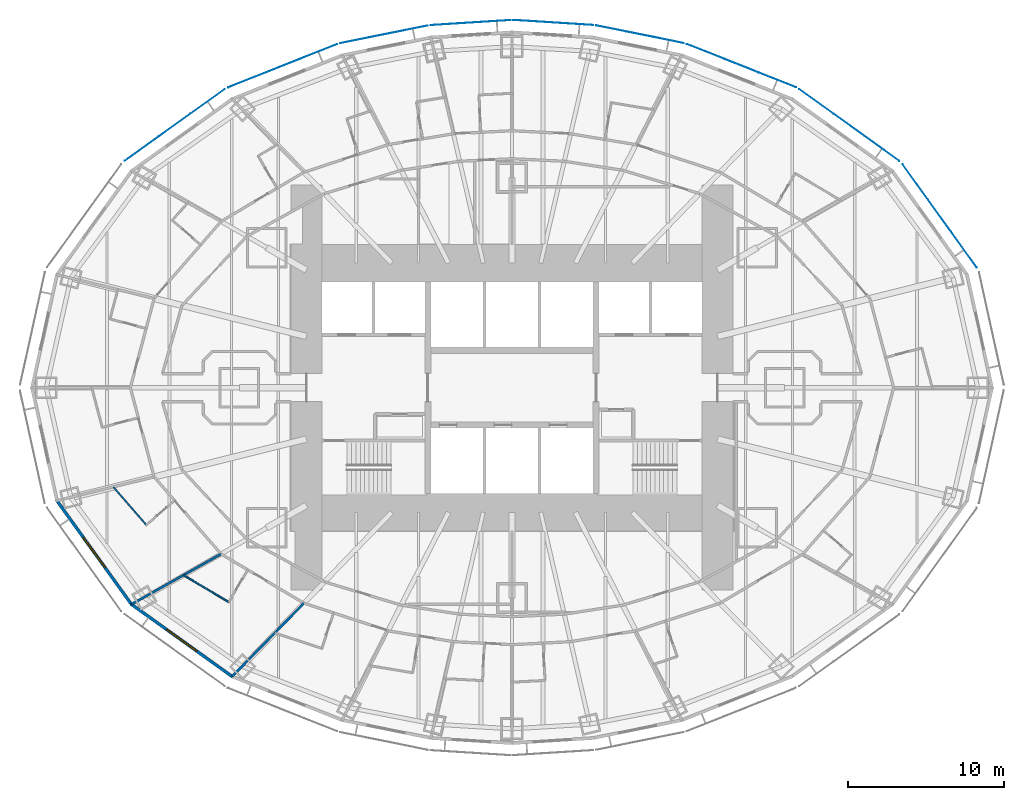
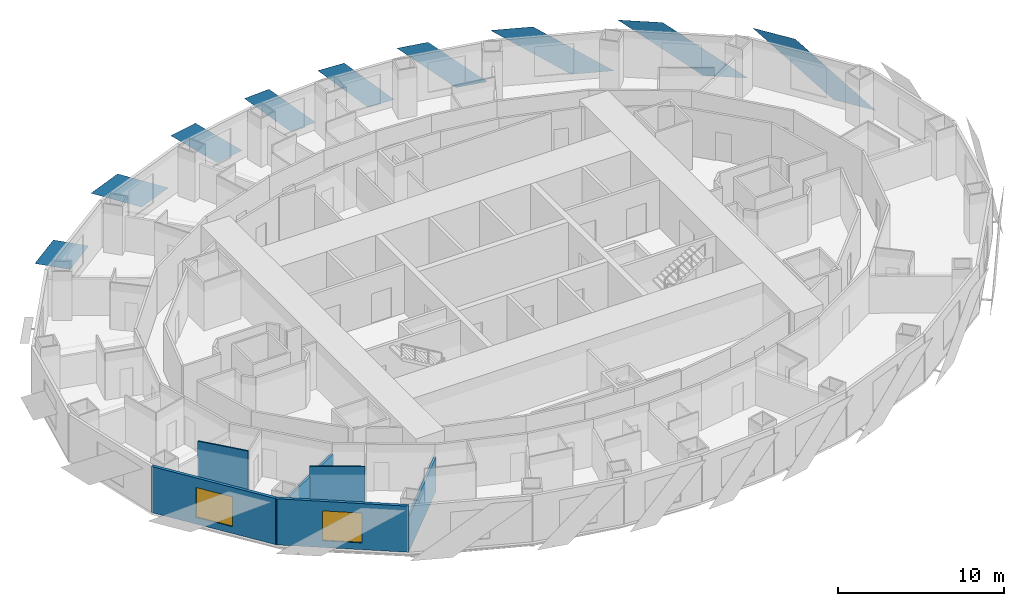
# One storey, part 4 of 15: 9 plates, 6 walls, 2 windows, 2 openings.
"""IFC4 building model written with IfcOpenShell, lengths in metres."""

from ifc_helpers import new_model, si_unit, direction, frame, frame_2d, origin, place, context, subcontext, project, spatial, polyline, rectangle, outline, extrude, material, layer, layer_set, type_object, element, fill, save


model = new_model("IFC4")

# Units and contexts
model_context = context("Model", 3, precision=1e-05, world=origin(), true_north=direction((0.0, 1.0)))
body_context = subcontext(model_context, "Body", "Model", "MODEL_VIEW")
ifc_project = project(units=[si_unit("LENGTHUNIT", "METRE"), si_unit("AREAUNIT", "SQUARE_METRE"), si_unit("VOLUMEUNIT", "CUBIC_METRE"), si_unit("PLANEANGLEUNIT", "RADIAN"), si_unit("MASSUNIT", "GRAM", prefix="KILO")], contexts=[model_context])

# Site, building, storey
site_placement = place(None, origin())
site = spatial("IfcSite", under=ifc_project, at=site_placement, CompositionType="ELEMENT")
building_placement = place(site_placement, origin())
building = spatial("IfcBuilding", under=site, at=building_placement, Name="Lantaw Convention Tower", CompositionType="ELEMENT")
storey_placement = place(building_placement, frame((0.0, 0.0, 65.800048828125)))
storey = spatial("IfcBuildingStorey", under=building, at=storey_placement, Name="L14", CompositionType="ELEMENT", Elevation=65.800048828125)

# Plates
ifc_material_1 = material(Name="Perforated aluminium sheet, pale silver finish", Category="aluminium")
ifc_layer_1 = layer(ifc_material_1, 0.006103515625)
ifc_layer_set_1 = layer_set([ifc_layer_1], Name="Perforated aluminium solar SCREEN panel")
plate_type = type_object("IfcPlateType", Name="Perforated aluminium solar SCREEN panel", PredefinedType="SHEET", material=ifc_layer_set_1)
plate_1_placement = place(storey_placement, frame((29.847900390625, 7.720947265625, -0.175048828125), z_axis=(0.811791382613, 0.583947558463, 9.019268e-06), x_axis=(-0.583947558486, 0.811791382646, 0.0)))
element("IfcPlate", 1, at=plate_1_placement, inside=storey, type_object=plate_type, Name="Solar SCREEN panel", PredefinedType="SHEET", context=body_context, shape_type="SweptSolid", body=[
    extrude(outline(polyline([(0.0, 0.0), (2.809541672291133, 0.0), (8.163093158837512, 3.739990234527119), (5.353551486546379, 3.739990234527119), (0.0, 0.0)])), origin(), (0.0, 0.0, -1.0), 0.006103515625),
])
plate_2_placement = place(storey_placement, frame((24.872314453125, 14.555908203125, -0.175048828125), z_axis=(0.582561421998, 0.812786681331, 1.5819417e-05), x_axis=(-0.812786681433, 0.582561422071, 0.0)))
element("IfcPlate", 2, at=plate_2_placement, inside=storey, type_object=plate_type, Name="Solar SCREEN panel", PredefinedType="SHEET", context=body_context, shape_type="SweptSolid", body=[
    extrude(outline(polyline([(0.0, 0.0), (2.721095180812288, 3.3881317890172014e-21), (7.903118572410756, 3.739990234842974), (5.182023391598468, 3.739990234842974), (0.0, 0.0)])), origin(), (0.0, 0.0, -1.0), 0.006103515625),
])
plate_3_placement = place(storey_placement, frame((18.232177734375, 19.278076171875, -0.175048828125), z_axis=(-0.369183532846, -0.929356508016, 9.163296e-06), x_axis=(-0.929356508055, 0.369183532862, 0.0)))
element("IfcPlate", 3, at=plate_3_placement, inside=storey, type_object=plate_type, Name="Solar SCREEN panel", PredefinedType="SHEET", context=body_context, shape_type="SweptSolid", body=[
    extrude(outline(polyline([(0.0, 0.0), (2.594936467166582, -1.6940658945086007e-21), (7.5321069917580825, -3.739990234532016), (4.937170524591499, -3.739990234532016), (0.0, 0.0)])), origin(), (0.0, 0.0, -1.0), 0.006103515625),
])
plate_4_placement = place(storey_placement, frame((11.03271484375, 22.117919921875, -0.175048828125), z_axis=(-0.197781876197, -0.980246055561, 2.418535e-06), x_axis=(-0.980246055563, 0.197781876198, 1.46e-10)))
element("IfcPlate", 4, at=plate_4_placement, inside=storey, type_object=plate_type, Name="Solar SCREEN panel", PredefinedType="SHEET", context=body_context, shape_type="SweptSolid", body=[
    extrude(outline(polyline([(0.0, 0.0), (1.9867801772236329, -3.1763735522036263e-22), (5.743587245978565, -3.7399902335493134), (3.7568553553458006, -3.739990234128105), (0.0, 0.0)])), origin(), (0.0, 0.0, -1.0), 0.006103515625),
])
plate_5_placement = place(storey_placement, frame((5.221923828125, 23.27783203125, -0.175048828125), z_axis=(-0.062923905251, -0.998018327468, 1.3605496e-05), x_axis=(-0.998018327561, 0.062923905257, 9.3e-10)))
element("IfcPlate", 5, at=plate_5_placement, inside=storey, type_object=plate_type, Name="Solar SCREEN panel", PredefinedType="SHEET", context=body_context, shape_type="SweptSolid", body=[
    extrude(outline(polyline([(0.0, 0.0), (1.7828375409377817, -2.117582368135751e-22), (5.143985963027618, -3.739990229938699), (3.3611637843713935, -3.7399902332537565), (0.0, 0.0)])), origin(), (0.0, 0.0, -1.0), 0.006103515625),
])
plate_6_placement = place(storey_placement, frame((-0.088134765625, 23.6015625, -0.175048828125), z_axis=(-0.062923905251, 0.998018327468, 1.3605496e-05), x_axis=(-0.998018327561, -0.062923905257, -9.3e-10)))
element("IfcPlate", 6, at=plate_6_placement, inside=storey, type_object=plate_type, Name="Solar SCREEN panel", PredefinedType="SHEET", context=body_context, shape_type="SweptSolid", body=[
    extrude(outline(polyline([(0.0, 0.0), (1.782822178656225, -2.117582368135751e-22), (5.143985956073316, 3.7399902395036517), (3.3611484151355353, 3.7399902361885653), (0.0, 0.0)])), origin(), (0.0, 0.0, -1.0), 0.006103515625),
])
plate_7_placement = place(storey_placement, frame((-5.402587890625, 23.25390625, -0.175048828125), z_axis=(-0.197781876197, 0.980246055561, 2.418535e-06), x_axis=(-0.980246055563, -0.197781876198, -1.46e-10)))
element("IfcPlate", 7, at=plate_7_placement, inside=storey, type_object=plate_type, Name="Solar SCREEN panel", PredefinedType="SHEET", context=body_context, shape_type="SweptSolid", body=[
    extrude(outline(polyline([(0.0, 0.0), (1.9867318906327642, 1.0587911840678754e-22), (5.743587244888999, 3.7399902352225842), (3.7568070676653664, 3.7399902346437783), (0.0, 0.0)])), origin(), (0.0, 0.0, -1.0), 0.006103515625),
])
plate_8_placement = place(storey_placement, frame((-11.232177734375, 22.058837890625, -0.175048828125), z_axis=(-0.369183532846, 0.929356508016, 9.163296e-06), x_axis=(-0.929356508055, -0.369183532862, 0.0)))
element("IfcPlate", 8, at=plate_8_placement, inside=storey, type_object=plate_type, Name="Solar SCREEN panel", PredefinedType="SHEET", context=body_context, shape_type="SweptSolid", body=[
    extrude(outline(polyline([(0.0, 0.0), (2.594936467166582, 1.6940658945086007e-21), (7.5321069917580825, 3.739990234532016), (4.937170524591499, 3.739990234532016), (0.0, 0.0)])), origin(), (0.0, 0.0, -1.0), 0.006103515625),
])
plate_9_placement = place(storey_placement, frame((-18.44873046875, 19.159912109375, -0.175048828125), z_axis=(0.582561421998, -0.812786681331, 1.5819417e-05), x_axis=(-0.812786681433, -0.582561422071, 0.0)))
element("IfcPlate", 9, at=plate_9_placement, inside=storey, type_object=plate_type, Name="Solar SCREEN panel", PredefinedType="SHEET", context=body_context, shape_type="SweptSolid", body=[
    extrude(outline(polyline([(0.0, 0.0), (2.721095180812288, -3.3881317890172014e-21), (7.903118572410756, -3.739990234842974), (5.182023391598468, -3.739990234842974), (0.0, 0.0)])), origin(), (0.0, 0.0, -1.0), 0.006103515625),
])

# Walls
ifc_material_2 = material(Name="Moisture resistant gypsum board on steel studs", Category="steel")
ifc_layer_2 = layer(ifc_material_2, 0.10009765625)
ifc_layer_set_2 = layer_set([ifc_layer_2], Name="Bathroom wall 100")
wall_type_1 = type_object("IfcWallType", Name="Bathroom wall 100", PredefinedType="PARTITIONING", material=ifc_layer_set_2)
wall_1_placement = place(storey_placement, frame((-23.47705078125, -8.812255859375, 0.0), z_axis=(0.0, 0.0, 1.0), x_axis=(-0.655596826012, 0.755111118792, 0.0)))
element("IfcWall", 10, at=wall_1_placement, inside=storey, type_object=wall_type_1, Name="Bathroom wall 100", PredefinedType="PARTITIONING", context=body_context, shape_type="SweptSolid", body=[
    extrude(rectangle(XDim=3.22119140625, YDim=0.10009765625, at=frame_2d((1.610595703125, 0.0))), origin(), (0.0, 0.0, 1.0), 3.449951171875),
])
wall_2_placement = place(storey_placement, frame((-18.185302734375, -13.759521484375, 0.0), z_axis=(0.0, 0.0, 1.0), x_axis=(-0.860146437071, 0.510047161343, 0.0)))
element("IfcWall", 11, at=wall_2_placement, inside=storey, type_object=wall_type_1, Name="Bathroom wall 100", PredefinedType="PARTITIONING", context=body_context, shape_type="SweptSolid", body=[
    extrude(rectangle(XDim=3.362548828125, YDim=0.10009765625, at=frame_2d((1.68115234375, 0.0))), origin(), (0.0, 0.0, 1.0), 3.449951171875),
])

# Wall, opening, window
ifc_material_3 = material(Name="Insulated aluminium panel on steel frame", Category="steel")
ifc_layer_3 = layer(ifc_material_3, 0.199951171875)
ifc_layer_set_3 = layer_set([ifc_layer_3], Name="External wall 200")
wall_type_2 = type_object("IfcWallType", Name="External wall 200", PredefinedType="SOLIDWALL", material=ifc_layer_set_3)
wall_3_placement = place(storey_placement, frame((-29.260498046875, -7.199951171875, 0.0), z_axis=(0.0, 0.0, 1.0), x_axis=(0.583937613703, -0.811798536155, 0.0)))
wall_3 = element("IfcWall", 12, at=wall_3_placement, inside=storey, type_object=wall_type_2, Name="Facade panel wall", PredefinedType="SOLIDWALL", context=body_context, shape_type="SweptSolid", body=[
    extrude(rectangle(XDim=8.322998046875, YDim=0.199951171875, at=frame_2d((4.16162109375, 0.0))), origin(), (0.0, 0.0, 1.0), 3.39990234375),
])
opening_1_placement = place(wall_3_placement, frame((2.96142578125, 0.0, 0.5)))
opening_1 = element("IfcOpeningElement", 13, at=opening_1_placement, cuts=wall_3, Name="Opening W1", PredefinedType="OPENING", context=body_context, shape_type="SweptSolid", body=[
    extrude(rectangle(XDim=2.39990234375, YDim=2.199951171875, at=frame_2d((1.199951171875, 1.10009765625))), frame((0.0, 0.10986328125, 0.0), z_axis=(0.0, -1.0, 0.0), x_axis=(1.0, 0.0, 0.0)), (0.0, 0.0, 1.0), 0.219970703125),
])
ifc_material_4 = material(Name="Aluminium frame, clear insulating glass", Category="aluminium")
window_type = type_object("IfcWindowType", Name="Guest room window 2400x2200", PartitioningType="SINGLE_PANEL", PredefinedType="WINDOW", material=ifc_material_4)
window_1_placement = place(opening_1_placement, origin())
window_1 = element("IfcWindow", 14, at=window_1_placement, inside=storey, type_object=window_type, Name="Guest room window", OverallHeight=2.199951171875, OverallWidth=2.39990234375, PartitioningType="SINGLE_PANEL", PredefinedType="WINDOW", context=body_context, shape_type="SweptSolid", body=[
    extrude(rectangle(XDim=2.39990234375, YDim=2.199951171875, at=frame_2d((1.199951171875, 1.10009765625))), frame((0.0, 0.030029296875, 0.0), z_axis=(0.0, -1.0, 0.0), x_axis=(1.0, 0.0, 0.0)), (0.0, 0.0, 1.0), 0.06005859375),
])
fill(opening_1, window_1)

wall_4_placement = place(storey_placement, frame((-24.482421875, -13.87451171875, 0.0), z_axis=(0.0, 0.0, 1.0), x_axis=(0.812791321576, -0.582554948112, 0.0)))
wall_4 = element("IfcWall", 15, at=wall_4_placement, inside=storey, type_object=wall_type_2, Name="Facade panel wall", PredefinedType="SOLIDWALL", context=body_context, shape_type="SweptSolid", body=[
    extrude(rectangle(XDim=8.063232421875, YDim=0.199951171875, at=frame_2d((4.03173828125, 0.0))), origin(), (0.0, 0.0, 1.0), 3.39990234375),
])
opening_2_placement = place(wall_4_placement, frame((2.83154296875, 0.0, 0.5)))
opening_2 = element("IfcOpeningElement", 16, at=opening_2_placement, cuts=wall_4, Name="Opening W1", PredefinedType="OPENING", context=body_context, shape_type="SweptSolid", body=[
    extrude(rectangle(XDim=2.39990234375, YDim=2.199951171875, at=frame_2d((1.199951171875, 1.10009765625))), frame((0.0, 0.10986328125, 0.0), z_axis=(0.0, -1.0, 0.0), x_axis=(1.0, 0.0, 0.0)), (0.0, 0.0, 1.0), 0.219970703125),
])
window_2_placement = place(opening_2_placement, origin())
window_2 = element("IfcWindow", 17, at=window_2_placement, inside=storey, type_object=window_type, Name="Guest room window", OverallHeight=2.199951171875, OverallWidth=2.39990234375, PartitioningType="SINGLE_PANEL", PredefinedType="WINDOW", context=body_context, shape_type="SweptSolid", body=[
    extrude(rectangle(XDim=2.39990234375, YDim=2.199951171875, at=frame_2d((1.199951171875, 1.10009765625))), frame((0.0, 0.030029296875, 0.0), z_axis=(0.0, -1.0, 0.0), x_axis=(1.0, 0.0, 0.0)), (0.0, 0.0, 1.0), 0.06005859375),
])
fill(opening_2, window_2)

# Walls
ifc_material_5 = material(Name="Gypsum board on steel studs, acoustic", Category="steel")
ifc_layer_4 = layer(ifc_material_5, 0.14990234375)
ifc_layer_set_4 = layer_set([ifc_layer_4], Name="Guest room party wall 150")
wall_type_3 = type_object("IfcWallType", Name="Guest room party wall 150", PredefinedType="PARTITIONING", material=ifc_layer_set_4)
wall_5_placement = place(storey_placement, frame((-24.434814453125, -13.90869140625, 0.0), z_axis=(0.0, 0.0, 1.0), x_axis=(0.871747379892, 0.489955616001, 0.0)))
element("IfcWall", 18, at=wall_5_placement, inside=storey, type_object=wall_type_3, Name="Guest room party wall 150", PredefinedType="PARTITIONING", context=body_context, shape_type="SweptSolid", body=[
    extrude(rectangle(XDim=6.599853515625, YDim=0.14990234375, at=frame_2d((3.2998046875, 0.0))), origin(), (0.0, 0.0, 1.0), 2.693115234375),
])
wall_6_placement = place(storey_placement, frame((-17.970458984375, -18.541748046875, 0.0), z_axis=(0.0, 0.0, 1.0), x_axis=(0.699736251994, 0.714401272147, 0.0)))
element("IfcWall", 19, at=wall_6_placement, inside=storey, type_object=wall_type_3, Name="Guest room party wall 150", PredefinedType="PARTITIONING", context=body_context, shape_type="SweptSolid", body=[
    extrude(rectangle(XDim=6.592529296875, YDim=0.14990234375, at=frame_2d((3.29638671875, 0.0))), origin(), (0.0, 0.0, 1.0), 2.52783203125),
])

save(model, "model.ifc")
